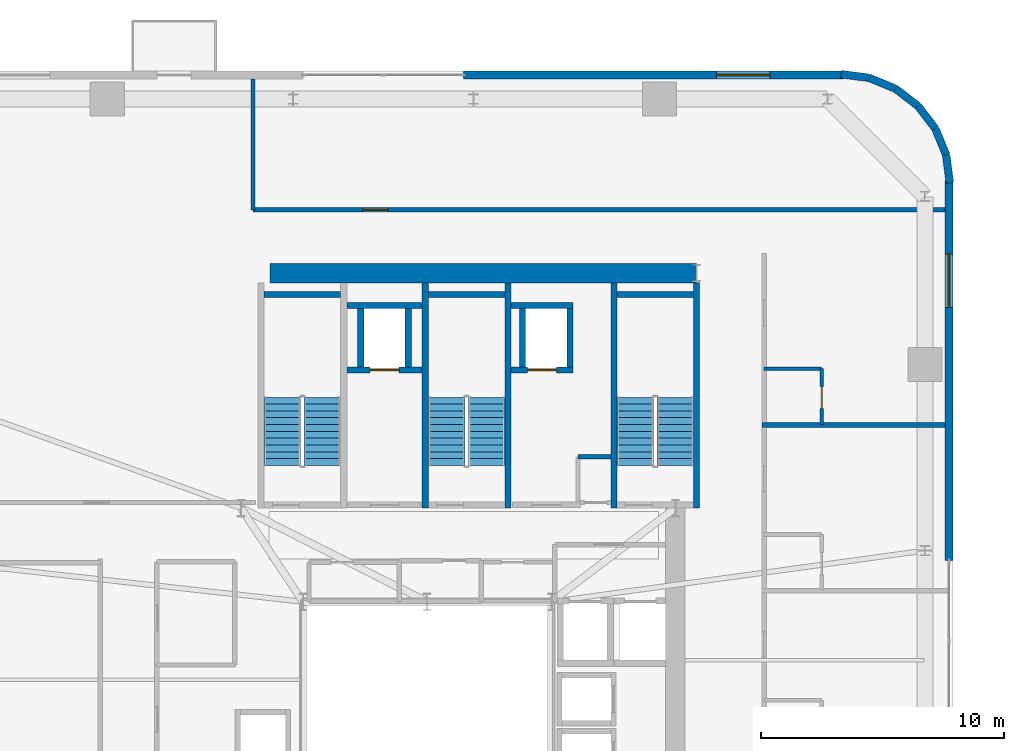
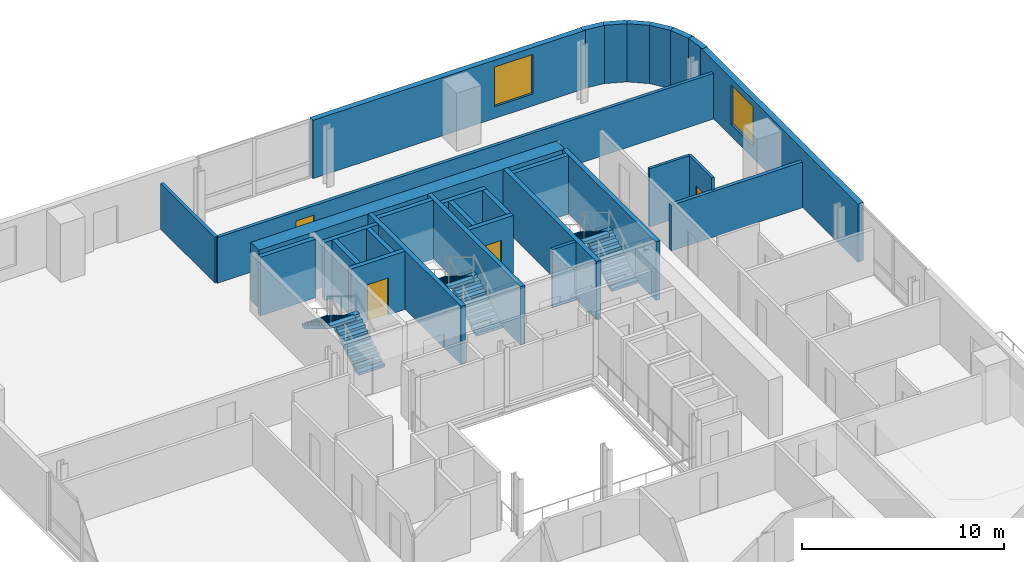
# One storey, part 11 of 15: 30 walls, 6 stair flights, 4 doors, 2 windows, 6 openings, 3 elements without a shape of their own.
"""IFC4 building model written with IfcOpenShell, lengths in metres."""

from ifc_helpers import new_model, si_unit, direction, frame, frame_2d, origin, place, context, subcontext, project, spatial, polyline, rectangle, outline, extrude, source, transform, mapped, material, layer, layer_set, type_object, element, fill, aggregate, save


model = new_model("IFC4")

# Units and contexts
model_context = context("Model", 3, precision=1e-05, world=origin(), true_north=direction((0.0, 1.0)))
body_context = subcontext(model_context, "Body", "Model", "MODEL_VIEW")
ifc_project = project(units=[si_unit("LENGTHUNIT", "METRE"), si_unit("AREAUNIT", "SQUARE_METRE"), si_unit("VOLUMEUNIT", "CUBIC_METRE"), si_unit("PLANEANGLEUNIT", "RADIAN"), si_unit("MASSUNIT", "GRAM", prefix="KILO")], contexts=[model_context])

# Site, building, storey
site_placement = place(None, origin())
site = spatial("IfcSite", under=ifc_project, at=site_placement, CompositionType="ELEMENT")
building_placement = place(site_placement, origin())
building = spatial("IfcBuilding", under=site, at=building_placement, Name="Vardaveli Station Tower", CompositionType="ELEMENT")
storey_placement = place(building_placement, frame((0.0, 0.0, 229.800048828125)))
storey = spatial("IfcBuildingStorey", under=building, at=storey_placement, Name="L59", CompositionType="ELEMENT", Elevation=229.800048828125)

# Wall
ifc_material_1 = material(Name="Concrete C50/60", Category="concrete")
ifc_layer_1 = layer(ifc_material_1, 0.800048828125, Name="Concrete C50/60")
ifc_layer_set_1 = layer_set([ifc_layer_1], Name="Concrete C50/60")
wall_type_1 = type_object("IfcWallType", Name="WAL-CORE-800", PredefinedType="SHEAR", material=ifc_layer_set_1)
shared_shape_1 = source(origin(), body_context, "Body", "SweptSolid", [
    extrude(rectangle(XDim=17.52001953125, YDim=0.800048828125, at=frame_2d((8.760009765625, 0.0))), origin(), (0.0, 0.0, 1.0), 3.530029296875),
])
wall_1_placement = place(storey_placement, frame((29.85009765625, 40.300048828125, 0.0), z_axis=(0.0, 0.0, 1.0), x_axis=(1.0, 0.0, 0.0)))
element("IfcWall", 1, at=wall_1_placement, inside=storey, type_object=wall_type_1, Name="SW-L59-NORTH", PredefinedType="SHEAR", context=body_context, shape_type="MappedRepresentation", body=[
    mapped(shared_shape_1, transform((0.0, 0.0, 0.0), scale=1.0)),
])

# Wall, opening, window
ifc_material_2 = material(Name="Precast concrete C45/55", Category="concrete")
ifc_layer_2 = layer(ifc_material_2, 0.320068359375, Name="Precast concrete C45/55")
ifc_layer_set_2 = layer_set([ifc_layer_2], Name="Precast concrete C45/55")
wall_type_2 = type_object("IfcWallType", Name="WAL-EXT-STONE-320", PredefinedType="SOLIDWALL", material=ifc_layer_set_2)
shared_shape_2 = source(origin(), body_context, "Body", "SweptSolid", [
    extrude(rectangle(XDim=15.599853515625, YDim=0.320068359375, at=frame_2d((7.7998046875, 0.0))), origin(), (0.0, 0.0, 1.0), 3.530029296875),
])
wall_2_placement = place(storey_placement, frame((53.39990234375, 48.43994140625, 0.0), z_axis=(0.0, 0.0, 1.0), x_axis=(-1.0, 0.0, 0.0)))
wall_2 = element("IfcWall", 2, at=wall_2_placement, inside=storey, type_object=wall_type_2, Name="EW-L59-N1", PredefinedType="SOLIDWALL", context=body_context, shape_type="MappedRepresentation", body=[
    mapped(shared_shape_2, transform((0.0, 0.0, 0.0), scale=1.0)),
])
shared_shape_3 = source(origin(), body_context, "Body", "SweptSolid", [
    extrude(rectangle(XDim=2.199951171875, YDim=2.39990234375, at=frame_2d((1.10009765625, 1.199951171875))), frame((0.0, 0.169921875, 0.0), z_axis=(0.0, -1.0, 0.0), x_axis=(1.0, 0.0, 0.0)), (0.0, 0.0, 1.0), 0.340087890625),
])
opening_1_placement = place(wall_2_placement, frame((3.0048828125, 0.0, 0.719970703125)))
opening_1 = element("IfcOpeningElement", 3, at=opening_1_placement, cuts=wall_2, Name="Opening W-03", PredefinedType="OPENING", context=body_context, shape_type="MappedRepresentation", body=[
    mapped(shared_shape_3, transform((0.0, 0.0, 0.0), scale=1.0)),
])
ifc_material_3 = material(Name="Low-E solar-control glass", Category="glass")
window_type = type_object("IfcWindowType", Name="WIN-LOG-2200x2400", PartitioningType="SINGLE_PANEL", PredefinedType="WINDOW", material=ifc_material_3)
shared_shape_4 = source(origin(), body_context, "Body", "SweptSolid", [
    extrude(rectangle(XDim=2.199951171875, YDim=2.39990234375, at=frame_2d((1.10009765625, 1.199951171875))), frame((0.0, 0.030029296875, 0.0), z_axis=(0.0, -1.0, 0.0), x_axis=(1.0, 0.0, 0.0)), (0.0, 0.0, 1.0), 0.06005859375),
])
window_1_placement = place(opening_1_placement, origin())
window_1 = element("IfcWindow", 4, at=window_1_placement, inside=storey, type_object=window_type, Name="WN-L59-N1", OverallHeight=2.39990234375, OverallWidth=2.199951171875, PartitioningType="SINGLE_PANEL", PredefinedType="WINDOW", context=body_context, shape_type="MappedRepresentation", body=[
    mapped(shared_shape_4, transform((0.0, 0.0, 0.0), scale=1.0)),
])
fill(opening_1, window_1)

shared_shape_5 = source(origin(), body_context, "Body", "SweptSolid", [
    extrude(rectangle(XDim=15.60009765625, YDim=0.320068359375, at=frame_2d((7.800048828125, 0.0))), origin(), (0.0, 0.0, 1.0), 3.530029296875),
])
wall_3_placement = place(storey_placement, frame((57.739990234375, 28.5, 0.0), z_axis=(0.0, 0.0, 1.0), x_axis=(0.0, 1.0, 0.0)))
wall_3 = element("IfcWall", 5, at=wall_3_placement, inside=storey, type_object=wall_type_2, Name="EW-L59-E2", PredefinedType="SOLIDWALL", context=body_context, shape_type="MappedRepresentation", body=[
    mapped(shared_shape_5, transform((0.0, 0.0, 0.0), scale=1.0)),
])
opening_2_placement = place(wall_3_placement, frame((10.39501953125, 0.0, 0.719970703125)))
opening_2 = element("IfcOpeningElement", 6, at=opening_2_placement, cuts=wall_3, Name="Opening W-03", PredefinedType="OPENING", context=body_context, shape_type="MappedRepresentation", body=[
    mapped(shared_shape_3, transform((0.0, 0.0, 0.0), scale=1.0)),
])
window_2_placement = place(opening_2_placement, origin())
window_2 = element("IfcWindow", 7, at=window_2_placement, inside=storey, type_object=window_type, Name="WN-L59-E2", OverallHeight=2.39990234375, OverallWidth=2.199951171875, PartitioningType="SINGLE_PANEL", PredefinedType="WINDOW", context=body_context, shape_type="MappedRepresentation", body=[
    mapped(shared_shape_4, transform((0.0, 0.0, 0.0), scale=1.0)),
])
fill(opening_2, window_2)

# Walls
shared_shape_6 = source(origin(), body_context, "Body", "SweptSolid", [
    extrude(rectangle(XDim=1.1689453125, YDim=0.320068359375, at=frame_2d((0.58447265625, 0.0))), origin(), (0.0, 0.0, 1.0), 3.530029296875),
])
wall_4_placement = place(storey_placement, frame((57.179931640625, 46.2412109375, 0.0), z_axis=(0.0, 0.0, 1.0), x_axis=(-0.608387696831, 0.793639975269, 0.0)))
element("IfcWall", 8, at=wall_4_placement, inside=storey, type_object=wall_type_2, Name="EW-L59-CR3-3", PredefinedType="SOLIDWALL", context=body_context, shape_type="MappedRepresentation", body=[
    mapped(shared_shape_6, transform((0.0, 0.0, 0.0), scale=1.0)),
])
shared_shape_7 = source(origin(), body_context, "Body", "SweptSolid", [
    extrude(rectangle(XDim=1.168701171875, YDim=0.320068359375, at=frame_2d((0.58447265625, 0.0))), origin(), (0.0, 0.0, 1.0), 3.530029296875),
])
wall_5_placement = place(storey_placement, frame((56.46875, 47.1689453125, 0.0), z_axis=(0.0, 0.0, 1.0), x_axis=(-0.793663520347, 0.608356981114, 0.0)))
element("IfcWall", 9, at=wall_5_placement, inside=storey, type_object=wall_type_2, Name="EW-L59-CR3-4", PredefinedType="SOLIDWALL", context=body_context, shape_type="MappedRepresentation", body=[
    mapped(shared_shape_7, transform((0.0, 0.0, 0.0), scale=1.0)),
])
shared_shape_8 = source(origin(), body_context, "Body", "SweptSolid", [
    extrude(rectangle(XDim=1.17041015625, YDim=0.320068359375, at=frame_2d((0.585205078125, 0.0))), origin(), (0.0, 0.0, 1.0), 3.530029296875),
])
for number, where, z_axis, x_axis, name in (
    (10, (57.775634765625, 43.99951171875, 0.0), (0.0, 0.0, 1.0), (-0.128295670475, 0.991735963317, 0.0), "EW-L59-CR3-1"),
    (11, (54.460205078125, 48.325439453125, 0.0), (0.0, 0.0, 1.0), (-0.991735963317, 0.128295670475, 0.0), "EW-L59-CR3-6"),
):
    element("IfcWall", number, at=place(storey_placement, frame(where, z_axis=z_axis, x_axis=x_axis)), inside=storey, type_object=wall_type_2, Name=name, PredefinedType="SOLIDWALL", context=body_context, shape_type="MappedRepresentation", body=[
        mapped(shared_shape_8, transform((0.0, 0.0, 0.0), scale=1.0)),
    ])
shared_shape_9 = source(origin(), body_context, "Body", "SweptSolid", [
    extrude(rectangle(XDim=1.169189453125, YDim=0.320068359375, at=frame_2d((0.58447265625, 0.0))), origin(), (0.0, 0.0, 1.0), 3.530029296875),
])
for number, where, z_axis, x_axis, name in (
    (12, (57.62548828125, 45.16015625, 0.0), (0.0, 0.0, 1.0), (-0.381054331552, 0.924552646638, 0.0), "EW-L59-CR3-2"),
    (13, (55.541259765625, 47.8798828125, 0.0), (0.0, 0.0, 1.0), (-0.924552646638, 0.381054331552, 0.0), "EW-L59-CR3-5"),
):
    element("IfcWall", number, at=place(storey_placement, frame(where, z_axis=z_axis, x_axis=x_axis)), inside=storey, type_object=wall_type_2, Name=name, PredefinedType="SOLIDWALL", context=body_context, shape_type="MappedRepresentation", body=[
        mapped(shared_shape_9, transform((0.0, 0.0, 0.0), scale=1.0)),
    ])
ifc_material_4 = material(Name="Concrete C40/50", Category="concrete")
ifc_layer_3 = layer(ifc_material_4, 0.25, Name="Concrete C40/50")
ifc_layer_set_3 = layer_set([ifc_layer_3], Name="Concrete C40/50")
wall_type_3 = type_object("IfcWallType", Name="WAL-SHAFT-250", PredefinedType="SOLIDWALL", material=ifc_layer_set_3)
shared_shape_10 = source(origin(), body_context, "Body", "SweptSolid", [
    extrude(rectangle(XDim=9.25, YDim=0.25, at=frame_2d((4.625, 0.0))), origin(), (0.0, 0.0, 1.0), 3.550048828125),
])
for number, where, z_axis, x_axis, name in (
    (14, (36.22509765625, 30.64990234375, 0.0), (0.0, 0.0, 1.0), (0.0, 1.0, 0.0), "W-L59-ST-2W"),
    (15, (39.625, 30.64990234375, 0.0), (0.0, 0.0, 1.0), (0.0, 1.0, 0.0), "W-L59-ST-2E"),
    (16, (43.97509765625, 30.64990234375, 0.0), (0.0, 0.0, 1.0), (0.0, 1.0, 0.0), "W-L59-ST-3W"),
    (17, (47.375, 30.64990234375, 0.0), (0.0, 0.0, 1.0), (0.0, 1.0, 0.0), "W-L59-ST-3E"),
):
    element("IfcWall", number, at=place(storey_placement, frame(where, z_axis=z_axis, x_axis=x_axis)), inside=storey, type_object=wall_type_3, Name=name, PredefinedType="SOLIDWALL", context=body_context, shape_type="MappedRepresentation", body=[
        mapped(shared_shape_10, transform((0.0, 0.0, 0.0), scale=1.0)),
    ])
shared_shape_11 = source(origin(), body_context, "Body", "SweptSolid", [
    extrude(rectangle(XDim=3.14990234375, YDim=0.25, at=frame_2d((1.574951171875, 0.0))), origin(), (0.0, 0.0, 1.0), 3.550048828125),
])
for number, where, z_axis, x_axis, name in (
    (18, (29.60009765625, 39.425048828125, 0.0), (0.0, 0.0, 1.0), (1.0, 0.0, 0.0), "W-L59-ST-1N"),
    (19, (36.35009765625, 39.425048828125, 0.0), (0.0, 0.0, 1.0), (1.0, 0.0, 0.0), "W-L59-ST-2N"),
    (20, (44.10009765625, 39.425048828125, 0.0), (0.0, 0.0, 1.0), (1.0, 0.0, 0.0), "W-L59-ST-3N"),
):
    element("IfcWall", number, at=place(storey_placement, frame(where, z_axis=z_axis, x_axis=x_axis)), inside=storey, type_object=wall_type_3, Name=name, PredefinedType="SOLIDWALL", context=body_context, shape_type="MappedRepresentation", body=[
        mapped(shared_shape_11, transform((0.0, 0.0, 0.0), scale=1.0)),
    ])

# Wall, opening, door
shared_shape_12 = source(origin(), body_context, "Body", "SweptSolid", [
    extrude(rectangle(XDim=3.10009765625, YDim=0.25, at=frame_2d((1.550048828125, 0.0))), origin(), (0.0, 0.0, 1.0), 3.530029296875),
])
wall_6_placement = place(storey_placement, frame((33.0, 36.324951171875, 0.0), z_axis=(0.0, 0.0, 1.0), x_axis=(1.0, 0.0, 0.0)))
wall_6 = element("IfcWall", 21, at=wall_6_placement, inside=storey, type_object=wall_type_3, Name="SHW-FFL-01-L59-S", PredefinedType="SOLIDWALL", context=body_context, shape_type="MappedRepresentation", body=[
    mapped(shared_shape_12, transform((0.0, 0.0, 0.0), scale=1.0)),
])
shared_shape_13 = source(origin(), body_context, "Body", "SweptSolid", [
    extrude(rectangle(XDim=1.199951171875, YDim=2.25, at=frame_2d((0.60009765625, 1.125))), frame((0.0, 0.135009765625, 0.0), z_axis=(0.0, -1.0, 0.0), x_axis=(1.0, 0.0, 0.0)), (0.0, 0.0, 1.0), 0.27001953125),
])
opening_3_placement = place(wall_6_placement, frame((0.949951171875, 0.0, 0.0)))
opening_3 = element("IfcOpeningElement", 22, at=opening_3_placement, cuts=wall_6, Name="Opening LD-02", PredefinedType="OPENING", context=body_context, shape_type="MappedRepresentation", body=[
    mapped(shared_shape_13, transform((0.0, 0.0, 0.0), scale=1.0)),
])
ifc_material_5 = material(Name="Brushed stainless steel", Category="steel")
door_type_1 = type_object("IfcDoorType", Name="DR-LD-1200x2250", OperationType="DOUBLE_DOOR_SLIDING", PredefinedType="DOOR", material=ifc_material_5)
shared_shape_14 = source(origin(), body_context, "Body", "SweptSolid", [
    extrude(rectangle(XDim=1.199951171875, YDim=2.25, at=frame_2d((0.60009765625, 1.125))), frame((0.0, 0.02490234375, 0.0), z_axis=(0.0, -1.0, 0.0), x_axis=(1.0, 0.0, 0.0)), (0.0, 0.0, 1.0), 0.050048828125),
])
door_1_placement = place(opening_3_placement, origin())
door_1 = element("IfcDoor", 23, at=door_1_placement, inside=storey, type_object=door_type_1, Name="LD-FFL-01-L59", OperationType="DOUBLE_DOOR_SLIDING", OverallHeight=2.25, OverallWidth=1.199951171875, PredefinedType="DOOR", context=body_context, shape_type="MappedRepresentation", body=[
    mapped(shared_shape_14, transform((0.0, 0.0, 0.0), scale=1.0)),
])
fill(opening_3, door_1)

# Walls
wall_7_placement = place(storey_placement, frame((33.0, 38.97509765625, 0.0), z_axis=(0.0, 0.0, 1.0), x_axis=(1.0, 0.0, 0.0)))
element("IfcWall", 24, at=wall_7_placement, inside=storey, type_object=wall_type_3, Name="SHW-FFL-01-L59-N", PredefinedType="SOLIDWALL", context=body_context, shape_type="MappedRepresentation", body=[
    mapped(shared_shape_12, transform((0.0, 0.0, 0.0), scale=1.0)),
])
shared_shape_15 = source(origin(), body_context, "Body", "SweptSolid", [
    extrude(rectangle(XDim=2.400146484375, YDim=0.25, at=frame_2d((1.2001953125, 0.0))), origin(), (0.0, 0.0, 1.0), 3.530029296875),
])
for number, where, z_axis, x_axis, name in (
    (25, (33.574951171875, 36.449951171875, 0.0), (0.0, 0.0, 1.0), (0.0, 1.0, 0.0), "SHW-FFL-01-L59-W"),
    (26, (35.52490234375, 36.449951171875, 0.0), (0.0, 0.0, 1.0), (0.0, 1.0, 0.0), "SHW-FFL-01-L59-E"),
    (27, (40.22509765625, 36.449951171875, 0.0), (0.0, 0.0, 1.0), (0.0, 1.0, 0.0), "SHW-FFL-02-L59-W"),
    (28, (42.175048828125, 36.449951171875, 0.0), (0.0, 0.0, 1.0), (0.0, 1.0, 0.0), "SHW-FFL-02-L59-E"),
):
    element("IfcWall", number, at=place(storey_placement, frame(where, z_axis=z_axis, x_axis=x_axis)), inside=storey, type_object=wall_type_3, Name=name, PredefinedType="SOLIDWALL", context=body_context, shape_type="MappedRepresentation", body=[
        mapped(shared_shape_15, transform((0.0, 0.0, 0.0), scale=1.0)),
    ])

# Wall, opening, door
shared_shape_16 = source(origin(), body_context, "Body", "SweptSolid", [
    extrude(rectangle(XDim=2.550048828125, YDim=0.25, at=frame_2d((1.27490234375, 0.0))), origin(), (0.0, 0.0, 1.0), 3.530029296875),
])
wall_8_placement = place(storey_placement, frame((39.75, 36.324951171875, 0.0), z_axis=(0.0, 0.0, 1.0), x_axis=(1.0, 0.0, 0.0)))
wall_8 = element("IfcWall", 29, at=wall_8_placement, inside=storey, type_object=wall_type_3, Name="SHW-FFL-02-L59-S", PredefinedType="SOLIDWALL", context=body_context, shape_type="MappedRepresentation", body=[
    mapped(shared_shape_16, transform((0.0, 0.0, 0.0), scale=1.0)),
])
opening_4_placement = place(wall_8_placement, frame((0.675048828125, 0.0, 0.0)))
opening_4 = element("IfcOpeningElement", 30, at=opening_4_placement, cuts=wall_8, Name="Opening LD-02", PredefinedType="OPENING", context=body_context, shape_type="MappedRepresentation", body=[
    mapped(shared_shape_13, transform((0.0, 0.0, 0.0), scale=1.0)),
])
door_2_placement = place(opening_4_placement, origin())
door_2 = element("IfcDoor", 31, at=door_2_placement, inside=storey, type_object=door_type_1, Name="LD-FFL-02-L59", OperationType="DOUBLE_DOOR_SLIDING", OverallHeight=2.25, OverallWidth=1.199951171875, PredefinedType="DOOR", context=body_context, shape_type="MappedRepresentation", body=[
    mapped(shared_shape_14, transform((0.0, 0.0, 0.0), scale=1.0)),
])
fill(opening_4, door_2)

# Wall
wall_9_placement = place(storey_placement, frame((39.75, 38.97509765625, 0.0), z_axis=(0.0, 0.0, 1.0), x_axis=(1.0, 0.0, 0.0)))
element("IfcWall", 32, at=wall_9_placement, inside=storey, type_object=wall_type_3, Name="SHW-FFL-02-L59-N", PredefinedType="SOLIDWALL", context=body_context, shape_type="MappedRepresentation", body=[
    mapped(shared_shape_16, transform((0.0, 0.0, 0.0), scale=1.0)),
])

# Wall, opening, door
ifc_material_6 = material(Name="Fire-rated gypsum stud partition")
ifc_layer_4 = layer(ifc_material_6, 0.179931640625, Name="Fire-rated gypsum stud partition")
ifc_layer_set_4 = layer_set([ifc_layer_4], Name="Fire-rated gypsum stud partition")
wall_type_4 = type_object("IfcWallType", Name="WAL-CORR-180", PredefinedType="PARTITIONING", material=ifc_layer_set_4)
shared_shape_17 = source(origin(), body_context, "Body", "SweptSolid", [
    extrude(rectangle(XDim=28.427978515625, YDim=0.179931640625, at=frame_2d((14.2138671875, 0.0))), origin(), (0.0, 0.0, 1.0), 2.77197265625),
])
wall_10_placement = place(storey_placement, frame((29.14990234375, 42.89990234375, 0.0), z_axis=(0.0, 0.0, 1.0), x_axis=(1.0, 0.0, 0.0)))
wall_10 = element("IfcWall", 33, at=wall_10_placement, inside=storey, type_object=wall_type_4, Name="W-L59-NPS", PredefinedType="PARTITIONING", context=body_context, shape_type="MappedRepresentation", body=[
    mapped(shared_shape_17, transform((0.0, 0.0, 0.0), scale=1.0)),
])
shared_shape_18 = source(origin(), body_context, "Body", "SweptSolid", [
    extrude(rectangle(XDim=1.050048828125, YDim=2.199951171875, at=frame_2d((0.52490234375, 1.10009765625))), frame((0.0, 0.10009765625, 0.0), z_axis=(0.0, -1.0, 0.0), x_axis=(1.0, 0.0, 0.0)), (0.0, 0.0, 1.0), 0.199951171875),
])
opening_5_placement = place(wall_10_placement, frame((4.5, 0.0, 0.0)))
opening_5 = element("IfcOpeningElement", 34, at=opening_5_placement, cuts=wall_10, Name="Opening D-05", PredefinedType="OPENING", context=body_context, shape_type="MappedRepresentation", body=[
    mapped(shared_shape_18, transform((0.0, 0.0, 0.0), scale=1.0)),
])
ifc_material_7 = material(Name="Walnut veneer acoustic fire door")
door_type_2 = type_object("IfcDoorType", Name="DR-SUITE-1050x2200", OperationType="NOTDEFINED", PredefinedType="DOOR", material=ifc_material_7)
shared_shape_19 = source(origin(), body_context, "Body", "SweptSolid", [
    extrude(rectangle(XDim=1.050048828125, YDim=2.199951171875, at=frame_2d((0.52490234375, 1.10009765625))), frame((0.0, 0.02490234375, 0.0), z_axis=(0.0, -1.0, 0.0), x_axis=(1.0, 0.0, 0.0)), (0.0, 0.0, 1.0), 0.050048828125),
])
door_3_placement = place(opening_5_placement, origin())
door_3 = element("IfcDoor", 35, at=door_3_placement, inside=storey, type_object=door_type_2, Name="D-L59-NP1", OperationType="SINGLE_SWING_RIGHT", OverallHeight=2.199951171875, OverallWidth=1.050048828125, PredefinedType="DOOR", context=body_context, shape_type="MappedRepresentation", body=[
    mapped(shared_shape_19, transform((0.0, 0.0, 0.0), scale=1.0)),
])
fill(opening_5, door_3)

# Walls
ifc_material_8 = material(Name="Acoustic twin-stud gypsum partition")
ifc_layer_5 = layer(ifc_material_8, 0.199951171875, Name="Acoustic twin-stud gypsum partition")
ifc_layer_set_5 = layer_set([ifc_layer_5], Name="Acoustic twin-stud gypsum partition")
wall_type_5 = type_object("IfcWallType", Name="WAL-PARTY-200", PredefinedType="PARTITIONING", material=ifc_layer_set_5)
shared_shape_20 = source(origin(), body_context, "Body", "SweptSolid", [
    extrude(rectangle(XDim=7.52783203125, YDim=0.199951171875, at=frame_2d((3.763916015625, 0.0))), origin(), (0.0, 0.0, 1.0), 2.77197265625),
])
wall_11_placement = place(storey_placement, frame((50.050048828125, 34.068115234375, 0.0), z_axis=(0.0, 0.0, 1.0), x_axis=(1.0, 0.0, 0.0)))
element("IfcWall", 36, at=wall_11_placement, inside=storey, type_object=wall_type_5, Name="W-L59-PE3", PredefinedType="PARTITIONING", context=body_context, shape_type="MappedRepresentation", body=[
    mapped(shared_shape_20, transform((0.0, 0.0, 0.0), scale=1.0)),
])
shared_shape_21 = source(origin(), body_context, "Body", "SweptSolid", [
    extrude(rectangle(XDim=5.378173828125, YDim=0.179931640625, at=frame_2d((2.68896484375, 0.0))), origin(), (0.0, 0.0, 1.0), 2.77197265625),
])
wall_12_placement = place(storey_placement, frame((29.14990234375, 42.89990234375, 0.0), z_axis=(0.0, 0.0, 1.0), x_axis=(0.0, 1.0, 0.0)))
element("IfcWall", 37, at=wall_12_placement, inside=storey, type_object=wall_type_4, Name="W-L59-NPW", PredefinedType="PARTITIONING", context=body_context, shape_type="MappedRepresentation", body=[
    mapped(shared_shape_21, transform((0.0, 0.0, 0.0), scale=1.0)),
])
ifc_material_9 = material(Name="Moisture-resistant stud partition")
ifc_layer_6 = layer(ifc_material_9, 0.14990234375, Name="Moisture-resistant stud partition")
ifc_layer_set_6 = layer_set([ifc_layer_6], Name="Moisture-resistant stud partition")
wall_type_6 = type_object("IfcWallType", Name="WAL-WET-150", PredefinedType="PARTITIONING", material=ifc_layer_set_6)
shared_shape_22 = source(origin(), body_context, "Body", "SweptSolid", [
    extrude(rectangle(XDim=2.360107421875, YDim=0.14990234375, at=frame_2d((1.18017578125, 0.0))), origin(), (0.0, 0.0, 1.0), 3.530029296875),
])
wall_13_placement = place(storey_placement, frame((50.14990234375, 36.3779296875, 0.0), z_axis=(0.0, 0.0, 1.0), x_axis=(1.0, 0.0, 0.0)))
element("IfcWall", 38, at=wall_13_placement, inside=storey, type_object=wall_type_6, Name="W-L59-BE4-N", PredefinedType="PARTITIONING", context=body_context, shape_type="MappedRepresentation", body=[
    mapped(shared_shape_22, transform((0.0, 0.0, 0.0), scale=1.0)),
])
shared_shape_23 = source(origin(), body_context, "Body", "SweptSolid", [
    extrude(rectangle(XDim=1.347900390625, YDim=0.179931640625, at=frame_2d((0.673828125, 0.0))), origin(), (0.0, 0.0, 1.0), 3.530029296875),
])
wall_14_placement = place(storey_placement, frame((42.5, 32.75, 0.0), z_axis=(0.0, 0.0, 1.0), x_axis=(1.0, 0.0, 0.0)))
element("IfcWall", 39, at=wall_14_placement, inside=storey, type_object=wall_type_4, Name="W-L59-CBS2A-N", PredefinedType="PARTITIONING", context=body_context, shape_type="MappedRepresentation", body=[
    mapped(shared_shape_23, transform((0.0, 0.0, 0.0), scale=1.0)),
])

# Wall, opening, door
shared_shape_24 = source(origin(), body_context, "Body", "SweptSolid", [
    extrude(rectangle(XDim=2.2900390625, YDim=0.14990234375, at=frame_2d((1.14501953125, 0.0))), origin(), (0.0, 0.0, 1.0), 3.530029296875),
])
wall_15_placement = place(storey_placement, frame((52.510009765625, 34.087890625, 0.0), z_axis=(0.0, 0.0, 1.0), x_axis=(0.0, 1.0, 0.0)))
wall_15 = element("IfcWall", 40, at=wall_15_placement, inside=storey, type_object=wall_type_6, Name="W-L59-BE4-E", PredefinedType="PARTITIONING", context=body_context, shape_type="MappedRepresentation", body=[
    mapped(shared_shape_24, transform((0.0, 0.0, 0.0), scale=1.0)),
])
shared_shape_25 = source(origin(), body_context, "Body", "SweptSolid", [
    extrude(rectangle(XDim=0.89990234375, YDim=2.10009765625, at=frame_2d((0.449951171875, 1.050048828125))), frame((0.0, 0.0849609375, 0.0), z_axis=(0.0, -1.0, 0.0), x_axis=(1.0, 0.0, 0.0)), (0.0, 0.0, 1.0), 0.169921875),
])
opening_6_placement = place(wall_15_placement, frame((0.64990234375, 0.0, 0.0)))
opening_6 = element("IfcOpeningElement", 41, at=opening_6_placement, cuts=wall_15, Name="Opening D-08", PredefinedType="OPENING", context=body_context, shape_type="MappedRepresentation", body=[
    mapped(shared_shape_25, transform((0.0, 0.0, 0.0), scale=1.0)),
])
ifc_material_10 = material(Name="Moisture-resistant oak door")
door_type_3 = type_object("IfcDoorType", Name="DR-BATH-900x2100", OperationType="NOTDEFINED", PredefinedType="DOOR", material=ifc_material_10)
shared_shape_26 = source(origin(), body_context, "Body", "SweptSolid", [
    extrude(rectangle(XDim=0.89990234375, YDim=2.10009765625, at=frame_2d((0.449951171875, 1.050048828125))), frame((0.0, 0.02490234375, 0.0), z_axis=(0.0, -1.0, 0.0), x_axis=(1.0, 0.0, 0.0)), (0.0, 0.0, 1.0), 0.050048828125),
])
door_4_placement = place(opening_6_placement, origin())
door_4 = element("IfcDoor", 42, at=door_4_placement, inside=storey, type_object=door_type_3, Name="D-L59-BE4", OperationType="SINGLE_SWING_RIGHT", OverallHeight=2.10009765625, OverallWidth=0.89990234375, PredefinedType="DOOR", context=body_context, shape_type="MappedRepresentation", body=[
    mapped(shared_shape_26, transform((0.0, 0.0, 0.0), scale=1.0)),
])
fill(opening_6, door_4)

# Stair, stair flights
stair_type = type_object("IfcStairType", Name="STR-CORE-1500", PredefinedType="HALF_TURN_STAIR", material=ifc_material_4)
stair_1_placement = place(storey_placement, origin())
stair_1 = element("IfcStair", 43, at=stair_1_placement, inside=storey, type_object=stair_type, Name="L59 ST-1", PredefinedType="HALF_TURN_STAIR")
stair_flight_type = type_object("IfcStairFlightType", Name="SFL-CORE-1500", PredefinedType="STRAIGHT", material=ifc_material_4)
shared_shape_27 = source(origin(), body_context, "Body", "SweptSolid", [
    extrude(outline(polyline([(0.0, 0.0), (0.0, 0.17041015625), (0.280029296875, 0.17041015625), (0.280029296875, 0.3408203125), (0.56005859375, 0.3408203125), (0.56005859375, 0.511474609375), (0.840087890625, 0.511474609375), (0.840087890625, 0.681884765625), (1.1201171875, 0.681884765625), (1.1201171875, 0.852294921875), (1.39990234375, 0.852294921875), (1.39990234375, 1.022705078125), (1.679931640625, 1.022705078125), (1.679931640625, 1.193115234375), (1.9599609375, 1.193115234375), (1.9599609375, 1.363525390625), (2.239990234375, 1.363525390625), (2.239990234375, 1.5341796875), (2.52001953125, 1.5341796875), (2.52001953125, 1.70458984375), (2.800048828125, 1.70458984375), (2.800048828125, 1.875), (2.800048828125, 1.529052734375), (0.288330078125, 0.0), (0.0, 0.0)])), frame((0.0, 0.75, 0.0), z_axis=(0.0, -1.0, 0.0), x_axis=(1.0, 0.0, 0.0)), (0.0, 0.0, 1.0), 1.5),
])
stair_flight_1_placement = place(storey_placement, frame((32.0, 32.39990234375, 0.0), z_axis=(0.0, 0.0, 1.0), x_axis=(0.0, 1.0, 0.0)))
stair_flight_1 = element("IfcStairFlight", 44, at=stair_flight_1_placement, type_object=stair_flight_type, Name="ST-1 flight 1", NumberOfRisers=11, NumberOfTreads=10, PredefinedType="STRAIGHT", RiserHeight=0.170454545, TreadLength=0.28, context=body_context, shape_type="MappedRepresentation", body=[
    mapped(shared_shape_27, transform((0.0, 0.0, 0.0), scale=1.0)),
])
stair_flight_2_placement = place(storey_placement, frame((30.35009765625, 35.199951171875, 1.875), z_axis=(0.0, 0.0, 1.0), x_axis=(0.0, -1.0, 0.0)))
stair_flight_2 = element("IfcStairFlight", 45, at=stair_flight_2_placement, type_object=stair_flight_type, Name="ST-1 flight 2", NumberOfRisers=11, NumberOfTreads=10, PredefinedType="STRAIGHT", RiserHeight=0.170454545, TreadLength=0.28, context=body_context, shape_type="MappedRepresentation", body=[
    mapped(shared_shape_27, transform((0.0, 0.0, 0.0), scale=1.0)),
])
aggregate(stair_1, [stair_flight_1, stair_flight_2])

stair_2_placement = place(storey_placement, origin())
stair_2 = element("IfcStair", 46, at=stair_2_placement, inside=storey, type_object=stair_type, Name="L59 ST-2", PredefinedType="HALF_TURN_STAIR")
stair_flight_3_placement = place(storey_placement, frame((38.75, 32.39990234375, 0.0), z_axis=(0.0, 0.0, 1.0), x_axis=(0.0, 1.0, 0.0)))
stair_flight_3 = element("IfcStairFlight", 47, at=stair_flight_3_placement, type_object=stair_flight_type, Name="ST-2 flight 1", NumberOfRisers=11, NumberOfTreads=10, PredefinedType="STRAIGHT", RiserHeight=0.170454545, TreadLength=0.28, context=body_context, shape_type="MappedRepresentation", body=[
    mapped(shared_shape_27, transform((0.0, 0.0, 0.0), scale=1.0)),
])
stair_flight_4_placement = place(storey_placement, frame((37.10009765625, 35.199951171875, 1.875), z_axis=(0.0, 0.0, 1.0), x_axis=(0.0, -1.0, 0.0)))
stair_flight_4 = element("IfcStairFlight", 48, at=stair_flight_4_placement, type_object=stair_flight_type, Name="ST-2 flight 2", NumberOfRisers=11, NumberOfTreads=10, PredefinedType="STRAIGHT", RiserHeight=0.170454545, TreadLength=0.28, context=body_context, shape_type="MappedRepresentation", body=[
    mapped(shared_shape_27, transform((0.0, 0.0, 0.0), scale=1.0)),
])
aggregate(stair_2, [stair_flight_3, stair_flight_4])

stair_3_placement = place(storey_placement, origin())
stair_3 = element("IfcStair", 49, at=stair_3_placement, inside=storey, type_object=stair_type, Name="L59 ST-3", PredefinedType="HALF_TURN_STAIR")
stair_flight_5_placement = place(storey_placement, frame((46.5, 32.39990234375, 0.0), z_axis=(0.0, 0.0, 1.0), x_axis=(0.0, 1.0, 0.0)))
stair_flight_5 = element("IfcStairFlight", 50, at=stair_flight_5_placement, type_object=stair_flight_type, Name="ST-3 flight 1", NumberOfRisers=11, NumberOfTreads=10, PredefinedType="STRAIGHT", RiserHeight=0.170454545, TreadLength=0.28, context=body_context, shape_type="MappedRepresentation", body=[
    mapped(shared_shape_27, transform((0.0, 0.0, 0.0), scale=1.0)),
])
stair_flight_6_placement = place(storey_placement, frame((44.85009765625, 35.199951171875, 1.875), z_axis=(0.0, 0.0, 1.0), x_axis=(0.0, -1.0, 0.0)))
stair_flight_6 = element("IfcStairFlight", 51, at=stair_flight_6_placement, type_object=stair_flight_type, Name="ST-3 flight 2", NumberOfRisers=11, NumberOfTreads=10, PredefinedType="STRAIGHT", RiserHeight=0.170454545, TreadLength=0.28, context=body_context, shape_type="MappedRepresentation", body=[
    mapped(shared_shape_27, transform((0.0, 0.0, 0.0), scale=1.0)),
])
aggregate(stair_3, [stair_flight_5, stair_flight_6])

save(model, "model.ifc")
